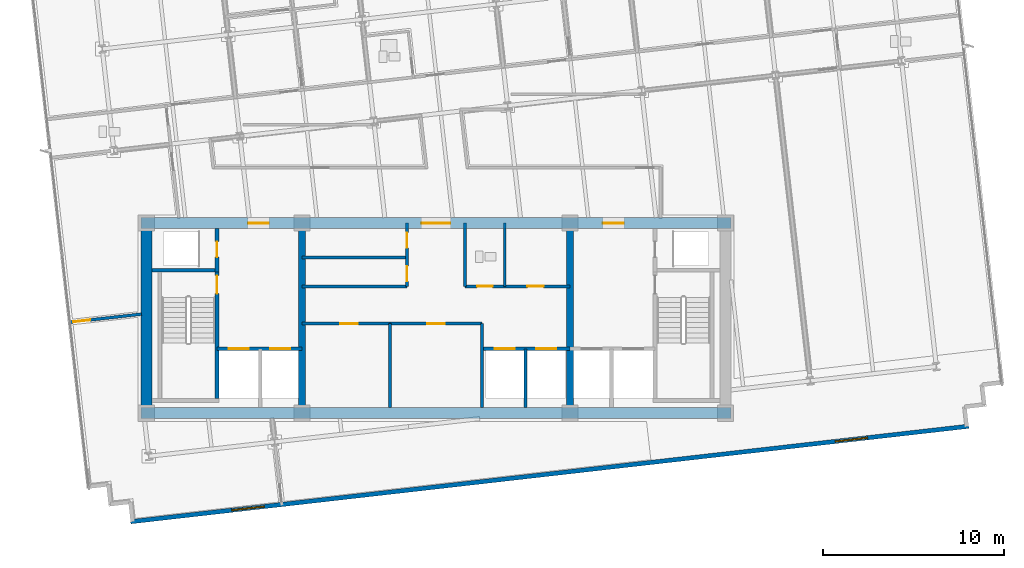
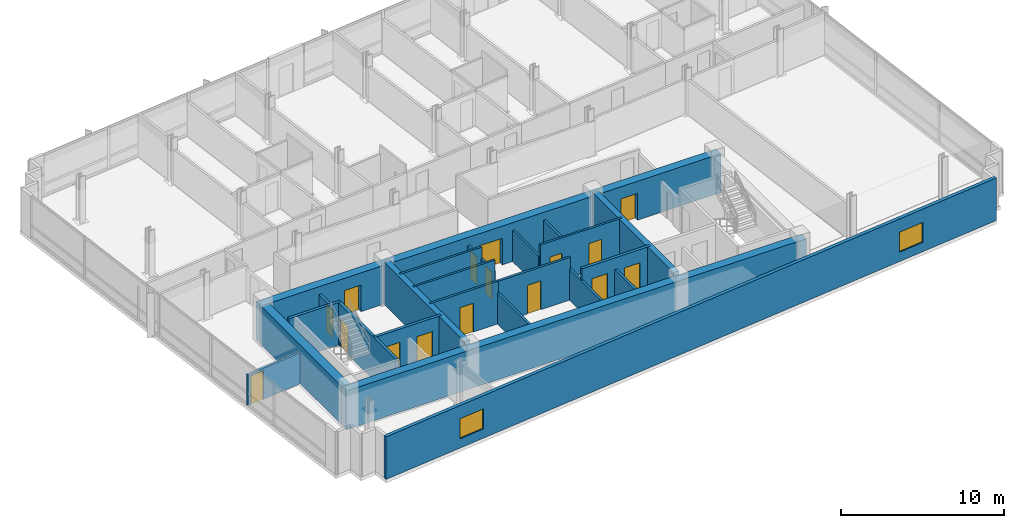
# One storey, part 8 of 16: 23 walls, 16 doors, 2 windows, 18 openings.
"""IFC4 building model written with IfcOpenShell, lengths in metres."""

from ifc_helpers import new_model, si_unit, direction, frame, frame_2d, origin, place, context, subcontext, project, spatial, rectangle, extrude, material, layer, layer_set, type_object, element, fill, save


model = new_model("IFC4")

# Units and contexts
model_context = context("Model", 3, precision=1e-05, world=origin(), true_north=direction((0.0, 1.0)))
body_context = subcontext(model_context, "Body", "Model", "MODEL_VIEW")
ifc_project = project(units=[si_unit("LENGTHUNIT", "METRE"), si_unit("AREAUNIT", "SQUARE_METRE"), si_unit("VOLUMEUNIT", "CUBIC_METRE"), si_unit("PLANEANGLEUNIT", "RADIAN"), si_unit("MASSUNIT", "GRAM", prefix="KILO")], contexts=[model_context])

# Site, building, storey
site_placement = place(None, origin())
site = spatial("IfcSite", under=ifc_project, at=site_placement, CompositionType="ELEMENT")
building_placement = place(site_placement, origin())
building = spatial("IfcBuilding", under=site, at=building_placement, Name="Solmavex Isthmus Hotel", CompositionType="ELEMENT")
storey_placement = place(building_placement, frame((0.0, 0.0, 212.39990234375)))
storey = spatial("IfcBuildingStorey", under=building, at=storey_placement, Name="L57", CompositionType="ELEMENT", Elevation=212.39990234375)

# Wall, openings, windows
ifc_material_1 = material(Name="Precast Concrete C40/50", Category="concrete")
ifc_layer_1 = layer(ifc_material_1, 0.25)
ifc_layer_set_1 = layer_set([ifc_layer_1], Name="Precast Concrete C40/50")
wall_type_1 = type_object("IfcWallType", Name="EW-TWR-250", PredefinedType="STANDARD", material=ifc_layer_set_1)
wall_1_placement = place(storey_placement, frame((-16.86962890625, -18.99951171875, 0.0), z_axis=(0.0, 0.0, 1.0), x_axis=(0.993571588328, 0.113205560228, 0.0)))
wall_1 = element("IfcWall", 1, at=wall_1_placement, inside=storey, type_object=wall_type_1, Name="Tower Rear South Facade Wall L57", PredefinedType="STANDARD", context=body_context, shape_type="SweptSolid", body=[
    extrude(rectangle(XDim=46.60009765625, YDim=0.239990234375, at=frame_2d((23.300048828125, 0.0))), origin(), (0.0, 0.0, 1.0), 3.190185546875),
])
opening_1_placement = place(wall_1_placement, frame((5.6240234375, 0.0, 0.699951171875)))
opening_1 = element("IfcOpeningElement", 2, at=opening_1_placement, cuts=wall_1, Name="Opening WN-02", PredefinedType="OPENING", context=body_context, shape_type="SweptSolid", body=[
    extrude(rectangle(XDim=1.800048828125, YDim=1.5, at=frame_2d((0.89990234375, 0.75))), frame((0.0, 0.1298828125, 0.0), z_axis=(0.0, -1.0, 0.0), x_axis=(1.0, 0.0, 0.0)), (0.0, 0.0, 1.0), 0.260009765625),
])
opening_2_placement = place(wall_1_placement, frame((39.176025390625, 0.0, 0.699951171875)))
opening_2 = element("IfcOpeningElement", 3, at=opening_2_placement, cuts=wall_1, Name="Opening WN-02", PredefinedType="OPENING", context=body_context, shape_type="SweptSolid", body=[
    extrude(rectangle(XDim=1.800048828125, YDim=1.5, at=frame_2d((0.89990234375, 0.75))), frame((0.0, 0.1298828125, 0.0), z_axis=(0.0, -1.0, 0.0), x_axis=(1.0, 0.0, 0.0)), (0.0, 0.0, 1.0), 0.260009765625),
])
ifc_material_2 = material(Name="Clear low-E laminated glass", Category="glass")
window_type = type_object("IfcWindowType", Name="WIN-TWR-1800", PartitioningType="SINGLE_PANEL", PredefinedType="WINDOW", material=ifc_material_2)
window_1_placement = place(opening_1_placement, origin())
window_1 = element("IfcWindow", 4, at=window_1_placement, inside=storey, type_object=window_type, Name="South Facade Vision Window L57-S1", OverallHeight=1.5, OverallWidth=1.800048828125, PartitioningType="SINGLE_PANEL", PredefinedType="WINDOW", context=body_context, shape_type="SweptSolid", body=[
    extrude(rectangle(XDim=1.800048828125, YDim=1.5, at=frame_2d((0.89990234375, 0.75))), frame((0.0, 0.030029296875, 0.0), z_axis=(0.0, -1.0, 0.0), x_axis=(1.0, 0.0, 0.0)), (0.0, 0.0, 1.0), 0.06005859375),
])
fill(opening_1, window_1)
window_2_placement = place(opening_2_placement, origin())
window_2 = element("IfcWindow", 5, at=window_2_placement, inside=storey, type_object=window_type, Name="South Facade Vision Window L57-S2", OverallHeight=1.5, OverallWidth=1.800048828125, PartitioningType="SINGLE_PANEL", PredefinedType="WINDOW", context=body_context, shape_type="SweptSolid", body=[
    extrude(rectangle(XDim=1.800048828125, YDim=1.5, at=frame_2d((0.89990234375, 0.75))), frame((0.0, 0.030029296875, 0.0), z_axis=(0.0, -1.0, 0.0), x_axis=(1.0, 0.0, 0.0)), (0.0, 0.0, 1.0), 0.06005859375),
])
fill(opening_2, window_2)

# Wall, opening, door
ifc_material_3 = material(Name="Gypsum plasterboard lining", Category="gypsum")
ifc_layer_2 = layer(ifc_material_3, 0.159912109375)
ifc_layer_set_2 = layer_set([ifc_layer_2], Name="Gypsum plasterboard lining")
wall_type_2 = type_object("IfcWallType", Name="IW-COMP-160", PredefinedType="PARTITIONING", material=ifc_layer_set_2)
wall_2_placement = place(storey_placement, frame((-7.39990234375, -8.050048828125, 0.0), z_axis=(0.0, 0.0, 1.0), x_axis=(1.0, 0.0, 0.0)))
wall_2 = element("IfcWall", 6, at=wall_2_placement, inside=storey, type_object=wall_type_2, Name="Interior Partition Wall W-L57-REC-PLL-N", PredefinedType="PARTITIONING", context=body_context, shape_type="SweptSolid", body=[
    extrude(rectangle(XDim=4.849853515625, YDim=0.159912109375, at=frame_2d((2.4248046875, 0.0))), origin(), (0.0, 0.0, 1.0), 3.190185546875),
])
opening_3_placement = place(wall_2_placement, frame((2.125, 0.0, 0.0)))
opening_3 = element("IfcOpeningElement", 7, at=opening_3_placement, cuts=wall_2, Name="Opening ID-C095", PredefinedType="OPENING", context=body_context, shape_type="SweptSolid", body=[
    extrude(rectangle(XDim=0.949951171875, YDim=2.14990234375, at=frame_2d((0.47509765625, 1.074951171875))), frame((0.0, 0.08984375, 0.0), z_axis=(0.0, -1.0, 0.0), x_axis=(1.0, 0.0, 0.0)), (0.0, 0.0, 1.0), 0.179931640625),
])
ifc_material_4 = material(Name="Hardwood timber", Category="wood")
door_type_1 = type_object("IfcDoorType", Name="IDR-FD60-0950", OperationType="NOTDEFINED", PredefinedType="DOOR", material=ifc_material_4)
door_1_placement = place(opening_3_placement, origin())
door_1 = element("IfcDoor", 8, at=door_1_placement, inside=storey, type_object=door_type_1, Name="Linen Reserve Door L57", OperationType="SINGLE_SWING_LEFT", OverallHeight=2.14990234375, OverallWidth=0.949951171875, PredefinedType="DOOR", context=body_context, shape_type="SweptSolid", body=[
    extrude(rectangle(XDim=0.949951171875, YDim=2.14990234375, at=frame_2d((0.47509765625, 1.074951171875))), frame((0.0, 0.02490234375, 0.0), z_axis=(0.0, -1.0, 0.0), x_axis=(1.0, 0.0, 0.0)), (0.0, 0.0, 1.0), 0.050048828125),
])
fill(opening_3, door_1)

# Wall
wall_3_placement = place(storey_placement, frame((-2.550048828125, -12.699951171875, 0.0), z_axis=(0.0, 0.0, 1.0), x_axis=(0.0, 1.0, 0.0)))
element("IfcWall", 9, at=wall_3_placement, inside=storey, type_object=wall_type_2, Name="Interior Partition Wall W-L57-REC-PLL-E", PredefinedType="PARTITIONING", context=body_context, shape_type="SweptSolid", body=[
    extrude(rectangle(XDim=4.64990234375, YDim=0.159912109375, at=frame_2d((2.324951171875, 0.0))), origin(), (0.0, 0.0, 1.0), 2.3251953125),
])

# Wall, opening, door
wall_4_placement = place(storey_placement, frame((-2.550048828125, -8.050048828125, 0.0), z_axis=(0.0, 0.0, 1.0), x_axis=(1.0, 0.0, 0.0)))
wall_4 = element("IfcWall", 10, at=wall_4_placement, inside=storey, type_object=wall_type_2, Name="Interior Partition Wall W-L57-REC-PLM-N", PredefinedType="PARTITIONING", context=body_context, shape_type="SweptSolid", body=[
    extrude(rectangle(XDim=5.10009765625, YDim=0.159912109375, at=frame_2d((2.550048828125, 0.0))), origin(), (0.0, 0.0, 1.0), 3.190185546875),
])
opening_4_placement = place(wall_4_placement, frame((2.074951171875, 0.0, 0.0)))
opening_4 = element("IfcOpeningElement", 11, at=opening_4_placement, cuts=wall_4, Name="Opening ID-C095", PredefinedType="OPENING", context=body_context, shape_type="SweptSolid", body=[
    extrude(rectangle(XDim=0.949951171875, YDim=2.14990234375, at=frame_2d((0.47509765625, 1.074951171875))), frame((0.0, 0.08984375, 0.0), z_axis=(0.0, -1.0, 0.0), x_axis=(1.0, 0.0, 0.0)), (0.0, 0.0, 1.0), 0.179931640625),
])
door_2_placement = place(opening_4_placement, origin())
door_2 = element("IfcDoor", 12, at=door_2_placement, inside=storey, type_object=door_type_1, Name="Butler Store Door L57", OperationType="SINGLE_SWING_RIGHT", OverallHeight=2.14990234375, OverallWidth=0.949951171875, PredefinedType="DOOR", context=body_context, shape_type="SweptSolid", body=[
    extrude(rectangle(XDim=0.949951171875, YDim=2.14990234375, at=frame_2d((0.47509765625, 1.074951171875))), frame((0.0, 0.02490234375, 0.0), z_axis=(0.0, -1.0, 0.0), x_axis=(1.0, 0.0, 0.0)), (0.0, 0.0, 1.0), 0.050048828125),
])
fill(opening_4, door_2)

# Wall
wall_5_placement = place(storey_placement, frame((2.550048828125, -12.699951171875, 0.0), z_axis=(0.0, 0.0, 1.0), x_axis=(0.0, 1.0, 0.0)))
element("IfcWall", 13, at=wall_5_placement, inside=storey, type_object=wall_type_2, Name="Interior Partition Wall W-L57-REC-PLM-E", PredefinedType="PARTITIONING", context=body_context, shape_type="SweptSolid", body=[
    extrude(rectangle(XDim=4.64990234375, YDim=0.159912109375, at=frame_2d((2.324951171875, 0.0))), origin(), (0.0, 0.0, 1.0), 2.3251953125),
])

# Wall, opening, door
wall_6_placement = place(storey_placement, frame((-16.26025390625, -7.52685546875, 0.0), z_axis=(0.0, 0.0, 1.0), x_axis=(-0.993571333357, -0.113207798012, 0.0)))
wall_6 = element("IfcWall", 14, at=wall_6_placement, inside=storey, type_object=wall_type_2, Name="Interior Partition Wall W-L57-P070", PredefinedType="PARTITIONING", context=body_context, shape_type="SweptSolid", body=[
    extrude(rectangle(XDim=4.024169921875, YDim=0.159912109375, at=frame_2d((2.01220703125, 0.0))), origin(), (0.0, 0.0, 1.0), 2.3251953125),
])
opening_5_placement = place(wall_6_placement, frame((2.8623046875, 0.0, 0.0)))
opening_5 = element("IfcOpeningElement", 15, at=opening_5_placement, cuts=wall_6, Name="Opening ID-C095", PredefinedType="OPENING", context=body_context, shape_type="SweptSolid", body=[
    extrude(rectangle(XDim=0.949951171875, YDim=2.14990234375, at=frame_2d((0.47509765625, 1.074951171875))), frame((0.0, 0.08984375, 0.0), z_axis=(0.0, -1.0, 0.0), x_axis=(1.0, 0.0, 0.0)), (0.0, 0.0, 1.0), 0.179931640625),
])
door_3_placement = place(opening_5_placement, frame((0.949951171875, 0.0, 0.0), z_axis=(0.0, 0.0, 1.0), x_axis=(-1.0, 0.0, 0.0)))
door_3 = element("IfcDoor", 16, at=door_3_placement, inside=storey, type_object=door_type_1, Name="Corporate Briefing Office Door L57-21", OperationType="SINGLE_SWING_LEFT", OverallHeight=2.14990234375, OverallWidth=0.949951171875, PredefinedType="DOOR", context=body_context, shape_type="SweptSolid", body=[
    extrude(rectangle(XDim=0.949951171875, YDim=2.14990234375, at=frame_2d((0.47509765625, 1.074951171875))), frame((0.0, 0.02490234375, 0.0), z_axis=(0.0, -1.0, 0.0), x_axis=(1.0, 0.0, 0.0)), (0.0, 0.0, 1.0), 0.050048828125),
])
fill(opening_5, door_3)

# Wall
ifc_layer_3 = layer(ifc_material_3, 0.14990234375)
ifc_layer_set_3 = layer_set([ifc_layer_3], Name="Gypsum plasterboard lining")
wall_type_3 = type_object("IfcWallType", Name="IW-CORR-150", PredefinedType="PARTITIONING", material=ifc_layer_set_3)
wall_7_placement = place(storey_placement, frame((-7.39990234375, -6.0, 0.0), z_axis=(0.0, 0.0, 1.0), x_axis=(1.0, 0.0, 0.0)))
element("IfcWall", 17, at=wall_7_placement, inside=storey, type_object=wall_type_3, Name="Interior Partition Wall W-L57-BOH-WS", PredefinedType="PARTITIONING", context=body_context, shape_type="SweptSolid", body=[
    extrude(rectangle(XDim=5.7998046875, YDim=0.14990234375, at=frame_2d((2.89990234375, 0.0))), origin(), (0.0, 0.0, 1.0), 3.190185546875),
])

# Wall, openings, doors
wall_8_placement = place(storey_placement, frame((-1.60009765625, -6.0, 0.0), z_axis=(0.0, 0.0, 1.0), x_axis=(0.0, 1.0, 0.0)))
wall_8 = element("IfcWall", 18, at=wall_8_placement, inside=storey, type_object=wall_type_3, Name="Interior Partition Wall W-L57-BOH-WE", PredefinedType="PARTITIONING", context=body_context, shape_type="SweptSolid", body=[
    extrude(rectangle(XDim=3.5, YDim=0.14990234375, at=frame_2d((1.75, 0.0))), origin(), (0.0, 0.0, 1.0), 2.3251953125),
])
opening_6_placement = place(wall_8_placement, frame((0.27490234375, 0.0, 0.0)))
opening_6 = element("IfcOpeningElement", 19, at=opening_6_placement, cuts=wall_8, Name="Opening ID-R085", PredefinedType="OPENING", context=body_context, shape_type="SweptSolid", body=[
    extrude(rectangle(XDim=0.85009765625, YDim=2.050048828125, at=frame_2d((0.425048828125, 1.02490234375))), frame((0.0, 0.0849609375, 0.0), z_axis=(0.0, -1.0, 0.0), x_axis=(1.0, 0.0, 0.0)), (0.0, 0.0, 1.0), 0.169921875),
])
opening_7_placement = place(wall_8_placement, frame((2.125, 0.0, 0.0)))
opening_7 = element("IfcOpeningElement", 20, at=opening_7_placement, cuts=wall_8, Name="Opening ID-R085", PredefinedType="OPENING", context=body_context, shape_type="SweptSolid", body=[
    extrude(rectangle(XDim=0.85009765625, YDim=2.050048828125, at=frame_2d((0.425048828125, 1.02490234375))), frame((0.0, 0.0849609375, 0.0), z_axis=(0.0, -1.0, 0.0), x_axis=(1.0, 0.0, 0.0)), (0.0, 0.0, 1.0), 0.169921875),
])
ifc_material_5 = material(Name="Steel ASTM A500 Grade C", Category="steel")
door_type_2 = type_object("IfcDoorType", Name="IDR-FD60-0850", OperationType="NOTDEFINED", PredefinedType="DOOR", material=ifc_material_5)
door_4_placement = place(opening_6_placement, origin())
door_4 = element("IfcDoor", 21, at=door_4_placement, inside=storey, type_object=door_type_2, Name="Housekeeping Door L57", OperationType="SINGLE_SWING_LEFT", OverallHeight=2.050048828125, OverallWidth=0.85009765625, PredefinedType="DOOR", context=body_context, shape_type="SweptSolid", body=[
    extrude(rectangle(XDim=0.85009765625, YDim=2.050048828125, at=frame_2d((0.425048828125, 1.02490234375))), frame((0.0, 0.02490234375, 0.0), z_axis=(0.0, -1.0, 0.0), x_axis=(1.0, 0.0, 0.0)), (0.0, 0.0, 1.0), 0.050048828125),
])
fill(opening_6, door_4)
door_5_placement = place(opening_7_placement, origin())
door_5 = element("IfcDoor", 22, at=door_5_placement, inside=storey, type_object=door_type_2, Name="Valet Store Door L57", OperationType="SINGLE_SWING_RIGHT", OverallHeight=2.050048828125, OverallWidth=0.85009765625, PredefinedType="DOOR", context=body_context, shape_type="SweptSolid", body=[
    extrude(rectangle(XDim=0.85009765625, YDim=2.050048828125, at=frame_2d((0.425048828125, 1.02490234375))), frame((0.0, 0.02490234375, 0.0), z_axis=(0.0, -1.0, 0.0), x_axis=(1.0, 0.0, 0.0)), (0.0, 0.0, 1.0), 0.050048828125),
])
fill(opening_7, door_5)

wall_9_placement = place(storey_placement, frame((1.60009765625, -6.0, 0.0), z_axis=(0.0, 0.0, 1.0), x_axis=(1.0, 0.0, 0.0)))
wall_9 = element("IfcWall", 23, at=wall_9_placement, inside=storey, type_object=wall_type_3, Name="Interior Partition Wall W-L57-BOH-ES", PredefinedType="PARTITIONING", context=body_context, shape_type="SweptSolid", body=[
    extrude(rectangle(XDim=5.7998046875, YDim=0.14990234375, at=frame_2d((2.89990234375, 0.0))), origin(), (0.0, 0.0, 1.0), 3.190185546875),
])
opening_8_placement = place(wall_9_placement, frame((0.675048828125, 0.0, 0.0)))
opening_8 = element("IfcOpeningElement", 24, at=opening_8_placement, cuts=wall_9, Name="Opening ID-R085", PredefinedType="OPENING", context=body_context, shape_type="SweptSolid", body=[
    extrude(rectangle(XDim=0.85009765625, YDim=2.050048828125, at=frame_2d((0.425048828125, 1.02490234375))), frame((0.0, 0.0849609375, 0.0), z_axis=(0.0, -1.0, 0.0), x_axis=(1.0, 0.0, 0.0)), (0.0, 0.0, 1.0), 0.169921875),
])
opening_9_placement = place(wall_9_placement, frame((3.449951171875, 0.0, 0.0)))
opening_9 = element("IfcOpeningElement", 25, at=opening_9_placement, cuts=wall_9, Name="Opening ID-C090", PredefinedType="OPENING", context=body_context, shape_type="SweptSolid", body=[
    extrude(rectangle(XDim=0.89990234375, YDim=2.10009765625, at=frame_2d((0.449951171875, 1.050048828125))), frame((0.0, 0.0849609375, 0.0), z_axis=(0.0, -1.0, 0.0), x_axis=(1.0, 0.0, 0.0)), (0.0, 0.0, 1.0), 0.169921875),
])
door_6_placement = place(opening_8_placement, frame((0.85009765625, 0.0, 0.0), z_axis=(0.0, 0.0, 1.0), x_axis=(-1.0, 0.0, 0.0)))
door_6 = element("IfcDoor", 26, at=door_6_placement, inside=storey, type_object=door_type_2, Name="Staff WC Door L57", OperationType="SINGLE_SWING_LEFT", OverallHeight=2.050048828125, OverallWidth=0.85009765625, PredefinedType="DOOR", context=body_context, shape_type="SweptSolid", body=[
    extrude(rectangle(XDim=0.85009765625, YDim=2.050048828125, at=frame_2d((0.425048828125, 1.02490234375))), frame((0.0, 0.02490234375, 0.0), z_axis=(0.0, -1.0, 0.0), x_axis=(1.0, 0.0, 0.0)), (0.0, 0.0, 1.0), 0.050048828125),
])
fill(opening_8, door_6)
door_type_3 = type_object("IfcDoorType", Name="IDR-FD60-0900", OperationType="NOTDEFINED", PredefinedType="DOOR", material=ifc_material_4)
door_7_placement = place(opening_9_placement, frame((0.89990234375, 0.0, 0.0), z_axis=(0.0, 0.0, 1.0), x_axis=(-1.0, 0.0, 0.0)))
door_7 = element("IfcDoor", 27, at=door_7_placement, inside=storey, type_object=door_type_3, Name="Room Service Door L57", OperationType="SINGLE_SWING_RIGHT", OverallHeight=2.10009765625, OverallWidth=0.89990234375, PredefinedType="DOOR", context=body_context, shape_type="SweptSolid", body=[
    extrude(rectangle(XDim=0.89990234375, YDim=2.10009765625, at=frame_2d((0.449951171875, 1.050048828125))), frame((0.0, 0.02490234375, 0.0), z_axis=(0.0, -1.0, 0.0), x_axis=(1.0, 0.0, 0.0)), (0.0, 0.0, 1.0), 0.050048828125),
])
fill(opening_9, door_7)

# Walls
wall_10_placement = place(storey_placement, frame((1.60009765625, -6.0, 0.0), z_axis=(0.0, 0.0, 1.0), x_axis=(0.0, 1.0, 0.0)))
element("IfcWall", 28, at=wall_10_placement, inside=storey, type_object=wall_type_3, Name="Interior Partition Wall W-L57-BOH-EW", PredefinedType="PARTITIONING", context=body_context, shape_type="SweptSolid", body=[
    extrude(rectangle(XDim=3.5, YDim=0.14990234375, at=frame_2d((1.75, 0.0))), origin(), (0.0, 0.0, 1.0), 2.3251953125),
])
ifc_layer_4 = layer(ifc_material_3, 0.1201171875)
ifc_layer_set_4 = layer_set([ifc_layer_4], Name="Gypsum plasterboard lining")
wall_type_4 = type_object("IfcWallType", Name="IW-PART-120", PredefinedType="PARTITIONING", material=ifc_layer_set_4)
wall_11_placement = place(storey_placement, frame((-7.39990234375, -4.39990234375, 0.0), z_axis=(0.0, 0.0, 1.0), x_axis=(1.0, 0.0, 0.0)))
element("IfcWall", 29, at=wall_11_placement, inside=storey, type_object=wall_type_4, Name="Interior Partition Wall W-L57-BOH-WH3", PredefinedType="PARTITIONING", context=body_context, shape_type="SweptSolid", body=[
    extrude(rectangle(XDim=5.7998046875, YDim=0.14990234375, at=frame_2d((2.89990234375, 0.0))), origin(), (0.0, 0.0, 1.0), 3.190185546875),
])
wall_12_placement = place(storey_placement, frame((3.800048828125, -6.0, 0.0), z_axis=(0.0, 0.0, 1.0), x_axis=(0.0, 1.0, 0.0)))
element("IfcWall", 30, at=wall_12_placement, inside=storey, type_object=wall_type_4, Name="Interior Partition Wall W-L57-BOH-EM3", PredefinedType="PARTITIONING", context=body_context, shape_type="SweptSolid", body=[
    extrude(rectangle(XDim=3.5, YDim=0.14990234375, at=frame_2d((1.75, 0.0))), origin(), (0.0, 0.0, 1.0), 2.3251953125),
])
ifc_material_6 = material(Name="Concrete C40/50", Category="concrete")
ifc_layer_5 = layer(ifc_material_6, 0.179931640625)
ifc_layer_set_5 = layer_set([ifc_layer_5], Name="Concrete C40/50")
wall_type_5 = type_object("IfcWallType", Name="IW-SHAFT-180", PredefinedType="PARTITIONING", material=ifc_layer_set_5)
wall_13_placement = place(storey_placement, frame((4.949951171875, -12.699951171875, 0.0), z_axis=(0.0, 0.0, 1.0), x_axis=(0.0, 1.0, 0.0)))
element("IfcWall", 31, at=wall_13_placement, inside=storey, type_object=wall_type_5, Name="Interior Partition Wall W-L57-SH-PLH-M", PredefinedType="PARTITIONING", context=body_context, shape_type="SweptSolid", body=[
    extrude(rectangle(XDim=3.25, YDim=0.179931640625, at=frame_2d((1.625, 0.0))), origin(), (0.0, 0.0, 1.0), 2.3251953125),
])

# Wall, opening, door
ifc_layer_6 = layer(ifc_material_6, 0.199951171875)
ifc_layer_set_6 = layer_set([ifc_layer_6], Name="Concrete C40/50")
wall_type_6 = type_object("IfcWallType", Name="IW-SHAFT-200", PredefinedType="PARTITIONING", material=ifc_layer_set_6)
wall_14_placement = place(storey_placement, frame((-12.10009765625, -5.199951171875, 0.0), z_axis=(0.0, 0.0, 1.0), x_axis=(0.0, 1.0, 0.0)))
wall_14 = element("IfcWall", 32, at=wall_14_placement, inside=storey, type_object=wall_type_6, Name="Interior Partition Wall W-L57-RSW-E", PredefinedType="PARTITIONING", context=body_context, shape_type="SweptSolid", body=[
    extrude(rectangle(XDim=2.39990234375, YDim=0.199951171875, at=frame_2d((1.199951171875, 0.0))), origin(), (0.0, 0.0, 1.0), 2.3251953125),
])
opening_10_placement = place(wall_14_placement, frame((0.824951171875, 0.0, 0.0)))
opening_10 = element("IfcOpeningElement", 33, at=opening_10_placement, cuts=wall_14, Name="Opening ID-R085", PredefinedType="OPENING", context=body_context, shape_type="SweptSolid", body=[
    extrude(rectangle(XDim=0.85009765625, YDim=2.050048828125, at=frame_2d((0.425048828125, 1.02490234375))), frame((0.0, 0.10986328125, 0.0), z_axis=(0.0, -1.0, 0.0), x_axis=(1.0, 0.0, 0.0)), (0.0, 0.0, 1.0), 0.219970703125),
])
door_8_placement = place(opening_10_placement, origin())
door_8 = element("IfcDoor", 34, at=door_8_placement, inside=storey, type_object=door_type_2, Name="Electrical Riser Door L57", OperationType="SINGLE_SWING_RIGHT", OverallHeight=2.050048828125, OverallWidth=0.85009765625, PredefinedType="DOOR", context=body_context, shape_type="SweptSolid", body=[
    extrude(rectangle(XDim=0.85009765625, YDim=2.050048828125, at=frame_2d((0.425048828125, 1.02490234375))), frame((0.0, 0.02490234375, 0.0), z_axis=(0.0, -1.0, 0.0), x_axis=(1.0, 0.0, 0.0)), (0.0, 0.0, 1.0), 0.050048828125),
])
fill(opening_10, door_8)

# Wall, openings, doors
wall_15_placement = place(storey_placement, frame((-12.10009765625, -9.449951171875, 0.0), z_axis=(0.0, 0.0, 1.0), x_axis=(1.0, 0.0, 0.0)))
wall_15 = element("IfcWall", 35, at=wall_15_placement, inside=storey, type_object=wall_type_6, Name="Interior Partition Wall W-L57-FFLW-S", PredefinedType="PARTITIONING", context=body_context, shape_type="SweptSolid", body=[
    extrude(rectangle(XDim=4.7001953125, YDim=0.199951171875, at=frame_2d((2.35009765625, 0.0))), origin(), (0.0, 0.0, 1.0), 3.190185546875),
])
opening_11_placement = place(wall_15_placement, frame((0.64990234375, 0.0, 0.0)))
opening_11 = element("IfcOpeningElement", 36, at=opening_11_placement, cuts=wall_15, Name="Opening LD-FF", PredefinedType="OPENING", context=body_context, shape_type="SweptSolid", body=[
    extrude(rectangle(XDim=1.10009765625, YDim=2.199951171875, at=frame_2d((0.550048828125, 1.10009765625))), frame((0.0, 0.10986328125, 0.0), z_axis=(0.0, -1.0, 0.0), x_axis=(1.0, 0.0, 0.0)), (0.0, 0.0, 1.0), 0.219970703125),
])
opening_12_placement = place(wall_15_placement, frame((2.949951171875, 0.0, 0.0)))
opening_12 = element("IfcOpeningElement", 37, at=opening_12_placement, cuts=wall_15, Name="Opening LD-SV", PredefinedType="OPENING", context=body_context, shape_type="SweptSolid", body=[
    extrude(rectangle(XDim=1.10009765625, YDim=2.199951171875, at=frame_2d((0.550048828125, 1.10009765625))), frame((0.0, 0.10986328125, 0.0), z_axis=(0.0, -1.0, 0.0), x_axis=(1.0, 0.0, 0.0)), (0.0, 0.0, 1.0), 0.219970703125),
])
ifc_material_7 = material(Name="Stainless steel 316", Category="steel")
door_type_4 = type_object("IfcDoorType", Name="LDR-FF-1100", OperationType="NOTDEFINED", PredefinedType="DOOR", material=ifc_material_7)
door_9_placement = place(opening_11_placement, origin())
door_9 = element("IfcDoor", 38, at=door_9_placement, inside=storey, type_object=door_type_4, Name="Lift Landing Door FFL-1 L57", OperationType="SLIDING_TO_LEFT", OverallHeight=2.199951171875, OverallWidth=1.10009765625, PredefinedType="DOOR", context=body_context, shape_type="SweptSolid", body=[
    extrude(rectangle(XDim=1.10009765625, YDim=2.199951171875, at=frame_2d((0.550048828125, 1.10009765625))), frame((0.0, 0.02490234375, 0.0), z_axis=(0.0, -1.0, 0.0), x_axis=(1.0, 0.0, 0.0)), (0.0, 0.0, 1.0), 0.050048828125),
])
fill(opening_11, door_9)
door_type_5 = type_object("IfcDoorType", Name="LDR-SV-1100", OperationType="NOTDEFINED", PredefinedType="DOOR", material=ifc_material_7)
door_10_placement = place(opening_12_placement, origin())
door_10 = element("IfcDoor", 39, at=door_10_placement, inside=storey, type_object=door_type_5, Name="Lift Landing Door SVL-1 L57", OperationType="SLIDING_TO_RIGHT", OverallHeight=2.199951171875, OverallWidth=1.10009765625, PredefinedType="DOOR", context=body_context, shape_type="SweptSolid", body=[
    extrude(rectangle(XDim=1.10009765625, YDim=2.199951171875, at=frame_2d((0.550048828125, 1.10009765625))), frame((0.0, 0.02490234375, 0.0), z_axis=(0.0, -1.0, 0.0), x_axis=(1.0, 0.0, 0.0)), (0.0, 0.0, 1.0), 0.050048828125),
])
fill(opening_12, door_10)

wall_16_placement = place(storey_placement, frame((2.550048828125, -9.449951171875, 0.0), z_axis=(0.0, 0.0, 1.0), x_axis=(1.0, 0.0, 0.0)))
wall_16 = element("IfcWall", 40, at=wall_16_placement, inside=storey, type_object=wall_type_6, Name="Interior Partition Wall W-L57-SH-PLH", PredefinedType="PARTITIONING", context=body_context, shape_type="SweptSolid", body=[
    extrude(rectangle(XDim=4.849853515625, YDim=0.199951171875, at=frame_2d((2.4248046875, 0.0))), origin(), (0.0, 0.0, 1.0), 3.190185546875),
])
opening_13_placement = place(wall_16_placement, frame((0.699951171875, 0.0, 0.0)))
opening_13 = element("IfcOpeningElement", 41, at=opening_13_placement, cuts=wall_16, Name="Opening LD-PL", PredefinedType="OPENING", context=body_context, shape_type="SweptSolid", body=[
    extrude(rectangle(XDim=1.10009765625, YDim=2.199951171875, at=frame_2d((0.550048828125, 1.10009765625))), frame((0.0, 0.10986328125, 0.0), z_axis=(0.0, -1.0, 0.0), x_axis=(1.0, 0.0, 0.0)), (0.0, 0.0, 1.0), 0.219970703125),
])
opening_14_placement = place(wall_16_placement, frame((3.0, 0.0, 0.0)))
opening_14 = element("IfcOpeningElement", 42, at=opening_14_placement, cuts=wall_16, Name="Opening LD-PL", PredefinedType="OPENING", context=body_context, shape_type="SweptSolid", body=[
    extrude(rectangle(XDim=1.10009765625, YDim=2.199951171875, at=frame_2d((0.550048828125, 1.10009765625))), frame((0.0, 0.10986328125, 0.0), z_axis=(0.0, -1.0, 0.0), x_axis=(1.0, 0.0, 0.0)), (0.0, 0.0, 1.0), 0.219970703125),
])
door_type_6 = type_object("IfcDoorType", Name="LDR-PL-1100", OperationType="NOTDEFINED", PredefinedType="DOOR", material=ifc_material_7)
door_11_placement = place(opening_13_placement, origin())
door_11 = element("IfcDoor", 43, at=door_11_placement, inside=storey, type_object=door_type_6, Name="Lift Landing Door PLH1 L57", OperationType="SLIDING_TO_LEFT", OverallHeight=2.199951171875, OverallWidth=1.10009765625, PredefinedType="DOOR", context=body_context, shape_type="SweptSolid", body=[
    extrude(rectangle(XDim=1.10009765625, YDim=2.199951171875, at=frame_2d((0.550048828125, 1.10009765625))), frame((0.0, 0.02490234375, 0.0), z_axis=(0.0, -1.0, 0.0), x_axis=(1.0, 0.0, 0.0)), (0.0, 0.0, 1.0), 0.050048828125),
])
fill(opening_13, door_11)
door_12_placement = place(opening_14_placement, origin())
door_12 = element("IfcDoor", 44, at=door_12_placement, inside=storey, type_object=door_type_6, Name="Lift Landing Door PLH2 L57", OperationType="SLIDING_TO_LEFT", OverallHeight=2.199951171875, OverallWidth=1.10009765625, PredefinedType="DOOR", context=body_context, shape_type="SweptSolid", body=[
    extrude(rectangle(XDim=1.10009765625, YDim=2.199951171875, at=frame_2d((0.550048828125, 1.10009765625))), frame((0.0, 0.02490234375, 0.0), z_axis=(0.0, -1.0, 0.0), x_axis=(1.0, 0.0, 0.0)), (0.0, 0.0, 1.0), 0.050048828125),
])
fill(opening_14, door_12)

# Walls
ifc_material_8 = material(Name="Concrete C50/60", Category="concrete")
ifc_layer_7 = layer(ifc_material_8, 0.39990234375)
ifc_layer_set_7 = layer_set([ifc_layer_7], Name="Concrete C50/60")
wall_type_7 = type_object("IfcWallType", Name="WALL-CW-400H", PredefinedType="SHEAR", material=ifc_layer_set_7)
for number, where, z_axis, x_axis, name in (
    (45, (-7.39990234375, -12.699951171875, 0.0), (0.0, 0.0, 1.0), (0.0, 1.0, 0.0), "Core Cross Shear Wall C1 L57"),
    (46, (7.39990234375, -12.699951171875, 0.0), (0.0, 0.0, 1.0), (0.0, 1.0, 0.0), "Core Cross Shear Wall C2 L57"),
):
    element("IfcWall", number, at=place(storey_placement, frame(where, z_axis=z_axis, x_axis=x_axis)), inside=storey, type_object=wall_type_7, Name=name, PredefinedType="SHEAR", context=body_context, shape_type="SweptSolid", body=[
        extrude(rectangle(XDim=9.89990234375, YDim=0.39990234375, at=frame_2d((4.949951171875, 0.0))), origin(), (0.0, 0.0, 1.0), 3.190185546875),
    ])
ifc_layer_8 = layer(ifc_material_8, 0.60009765625)
ifc_layer_set_8 = layer_set([ifc_layer_8], Name="Concrete C50/60")
wall_type_8 = type_object("IfcWallType", Name="WALL-CW-600", PredefinedType="SHEAR", material=ifc_layer_set_8)
wall_17_placement = place(storey_placement, frame((-16.300048828125, -13.0, 0.0), z_axis=(0.0, 0.0, 1.0), x_axis=(1.0, 0.0, 0.0)))
element("IfcWall", 47, at=wall_17_placement, inside=storey, type_object=wall_type_8, Name="Core Shear Wall South L57", PredefinedType="SHEAR", context=body_context, shape_type="SweptSolid", body=[
    extrude(rectangle(XDim=32.60009765625, YDim=0.60009765625, at=frame_2d((16.300048828125, 0.0))), origin(), (0.0, 0.0, 1.0), 2.91015625),
])

# Wall, openings, doors
wall_18_placement = place(storey_placement, frame((-16.300048828125, -2.5, 0.0), z_axis=(0.0, 0.0, 1.0), x_axis=(1.0, 0.0, 0.0)))
wall_18 = element("IfcWall", 48, at=wall_18_placement, inside=storey, type_object=wall_type_8, Name="Core Shear Wall North L57", PredefinedType="SHEAR", context=body_context, shape_type="SweptSolid", body=[
    extrude(rectangle(XDim=32.60009765625, YDim=0.60009765625, at=frame_2d((16.300048828125, 0.0))), origin(), (0.0, 0.0, 1.0), 2.91015625),
])
opening_15_placement = place(wall_18_placement, frame((5.925048828125, 0.0, 0.0)))
opening_15 = element("IfcOpeningElement", 49, at=opening_15_placement, cuts=wall_18, Name="Opening ID-F915", PredefinedType="OPENING", context=body_context, shape_type="SweptSolid", body=[
    extrude(rectangle(XDim=1.14990234375, YDim=2.0, at=frame_2d((0.574951171875, 1.0))), frame((0.0, 0.31005859375, 0.0), z_axis=(0.0, -1.0, 0.0), x_axis=(1.0, 0.0, 0.0)), (0.0, 0.0, 1.0), 0.6201171875),
])
opening_16_placement = place(wall_18_placement, frame((15.5, 0.0, 0.0)))
opening_16 = element("IfcOpeningElement", 50, at=opening_16_placement, cuts=wall_18, Name="Opening ID-F960", PredefinedType="OPENING", context=body_context, shape_type="SweptSolid", body=[
    extrude(rectangle(XDim=1.60009765625, YDim=2.0, at=frame_2d((0.800048828125, 1.0))), frame((0.0, 0.31005859375, 0.0), z_axis=(0.0, -1.0, 0.0), x_axis=(1.0, 0.0, 0.0)), (0.0, 0.0, 1.0), 0.6201171875),
])
opening_17_placement = place(wall_18_placement, frame((25.52490234375, 0.0, 0.0)))
opening_17 = element("IfcOpeningElement", 51, at=opening_17_placement, cuts=wall_18, Name="Opening ID-F915", PredefinedType="OPENING", context=body_context, shape_type="SweptSolid", body=[
    extrude(rectangle(XDim=1.14990234375, YDim=2.0, at=frame_2d((0.574951171875, 1.0))), frame((0.0, 0.31005859375, 0.0), z_axis=(0.0, -1.0, 0.0), x_axis=(1.0, 0.0, 0.0)), (0.0, 0.0, 1.0), 0.6201171875),
])
door_type_7 = type_object("IfcDoorType", Name="IDR-FD90-1150C", OperationType="NOTDEFINED", PredefinedType="DOOR", material=ifc_material_5)
door_13_placement = place(opening_15_placement, origin())
door_13 = element("IfcDoor", 52, at=door_13_placement, inside=storey, type_object=door_type_7, Name="Firefighting Lobby West Exit Door L57", OperationType="SINGLE_SWING_LEFT", OverallHeight=2.0, OverallWidth=1.14990234375, PredefinedType="DOOR", context=body_context, shape_type="SweptSolid", body=[
    extrude(rectangle(XDim=1.14990234375, YDim=2.0, at=frame_2d((0.574951171875, 1.0))), frame((0.0, 0.02490234375, 0.0), z_axis=(0.0, -1.0, 0.0), x_axis=(1.0, 0.0, 0.0)), (0.0, 0.0, 1.0), 0.050048828125),
])
fill(opening_15, door_13)
door_14_placement = place(opening_17_placement, origin())
door_14 = element("IfcDoor", 53, at=door_14_placement, inside=storey, type_object=door_type_7, Name="Firefighting Lobby East Exit Door L57", OperationType="SINGLE_SWING_RIGHT", OverallHeight=2.0, OverallWidth=1.14990234375, PredefinedType="DOOR", context=body_context, shape_type="SweptSolid", body=[
    extrude(rectangle(XDim=1.14990234375, YDim=2.0, at=frame_2d((0.574951171875, 1.0))), frame((0.0, 0.02490234375, 0.0), z_axis=(0.0, -1.0, 0.0), x_axis=(1.0, 0.0, 0.0)), (0.0, 0.0, 1.0), 0.050048828125),
])
fill(opening_17, door_14)
door_type_8 = type_object("IfcDoorType", Name="IDR-FD90-1600C", OperationType="NOTDEFINED", PredefinedType="DOOR", material=ifc_material_5)
door_15_placement = place(opening_16_placement, origin())
door_15 = element("IfcDoor", 54, at=door_15_placement, inside=storey, type_object=door_type_8, Name="Central Lift Lobby Door L57", OperationType="DOUBLE_DOOR_SINGLE_SWING", OverallHeight=2.0, OverallWidth=1.60009765625, PredefinedType="DOOR", context=body_context, shape_type="SweptSolid", body=[
    extrude(rectangle(XDim=1.60009765625, YDim=2.0, at=frame_2d((0.800048828125, 1.0))), frame((0.0, 0.02490234375, 0.0), z_axis=(0.0, -1.0, 0.0), x_axis=(1.0, 0.0, 0.0)), (0.0, 0.0, 1.0), 0.050048828125),
])
fill(opening_16, door_15)

# Walls
wall_19_placement = place(storey_placement, frame((-16.0, -12.699951171875, 0.0), z_axis=(0.0, 0.0, 1.0), x_axis=(0.0, 1.0, 0.0)))
element("IfcWall", 55, at=wall_19_placement, inside=storey, type_object=wall_type_8, Name="Core Shear Wall West L57", PredefinedType="SHEAR", context=body_context, shape_type="SweptSolid", body=[
    extrude(rectangle(XDim=9.89990234375, YDim=0.60009765625, at=frame_2d((4.949951171875, 0.0))), origin(), (0.0, 0.0, 1.0), 2.91015625),
])
ifc_layer_9 = layer(ifc_material_6, 0.199951171875)
ifc_layer_set_9 = layer_set([ifc_layer_9], Name="Concrete C40/50")
wall_type_9 = type_object("IfcWallType", Name="WALL-SW-200", PredefinedType="SOLIDWALL", material=ifc_layer_set_9)
wall_20_placement = place(storey_placement, frame((-15.699951171875, -5.10009765625, 0.0), z_axis=(0.0, 0.0, 1.0), x_axis=(1.0, 0.0, 0.0)))
element("IfcWall", 56, at=wall_20_placement, inside=storey, type_object=wall_type_9, Name="Stairwell Structural Wall SW-L57-ST1-N", PredefinedType="SOLIDWALL", context=body_context, shape_type="SweptSolid", body=[
    extrude(rectangle(XDim=3.699951171875, YDim=0.199951171875, at=frame_2d((1.85009765625, 0.0))), origin(), (0.0, 0.0, 1.0), 3.190185546875),
])

# Wall, opening, door
wall_21_placement = place(storey_placement, frame((-12.10009765625, -12.199951171875, 0.0), z_axis=(0.0, 0.0, 1.0), x_axis=(0.0, 1.0, 0.0)))
wall_21 = element("IfcWall", 57, at=wall_21_placement, inside=storey, type_object=wall_type_9, Name="Stairwell Structural Wall SW-L57-ST1-E", PredefinedType="SOLIDWALL", context=body_context, shape_type="SweptSolid", body=[
    extrude(rectangle(XDim=7.0, YDim=0.199951171875, at=frame_2d((3.5, 0.0))), origin(), (0.0, 0.0, 1.0), 3.190185546875),
])
opening_18_placement = place(wall_21_placement, frame((5.800048828125, 0.0, 0.0)))
opening_18 = element("IfcOpeningElement", 58, at=opening_18_placement, cuts=wall_21, Name="Opening ID-F100", PredefinedType="OPENING", context=body_context, shape_type="SweptSolid", body=[
    extrude(rectangle(XDim=1.0, YDim=2.10009765625, at=frame_2d((0.5, 1.050048828125))), frame((0.0, 0.10986328125, 0.0), z_axis=(0.0, -1.0, 0.0), x_axis=(1.0, 0.0, 0.0)), (0.0, 0.0, 1.0), 0.219970703125),
])
door_type_9 = type_object("IfcDoorType", Name="IDR-FD90-1000", OperationType="NOTDEFINED", PredefinedType="DOOR", material=ifc_material_5)
door_16_placement = place(opening_18_placement, frame((1.0, 0.0, 0.0), z_axis=(0.0, 0.0, 1.0), x_axis=(-1.0, 0.0, 0.0)))
door_16 = element("IfcDoor", 59, at=door_16_placement, inside=storey, type_object=door_type_9, Name="Stair ST-1 Fire Door L57", OperationType="SINGLE_SWING_LEFT", OverallHeight=2.10009765625, OverallWidth=1.0, PredefinedType="DOOR", context=body_context, shape_type="SweptSolid", body=[
    extrude(rectangle(XDim=1.0, YDim=2.10009765625, at=frame_2d((0.5, 1.050048828125))), frame((0.0, 0.02490234375, 0.0), z_axis=(0.0, -1.0, 0.0), x_axis=(1.0, 0.0, 0.0)), (0.0, 0.0, 1.0), 0.050048828125),
])
fill(opening_18, door_16)

save(model, "model.ifc")
